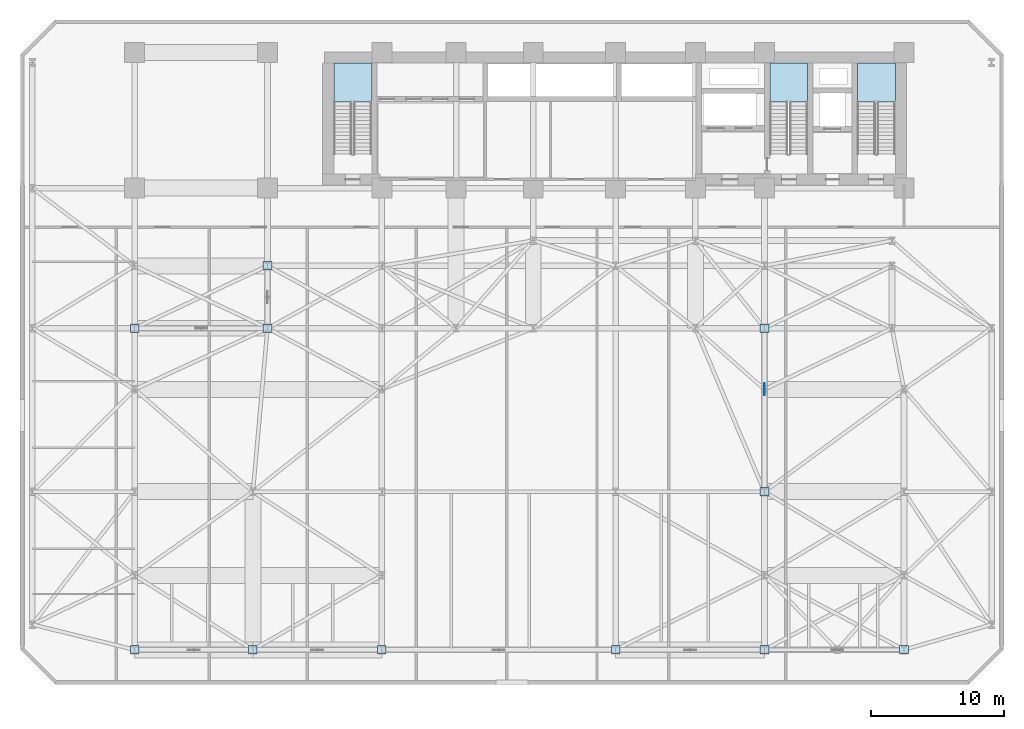
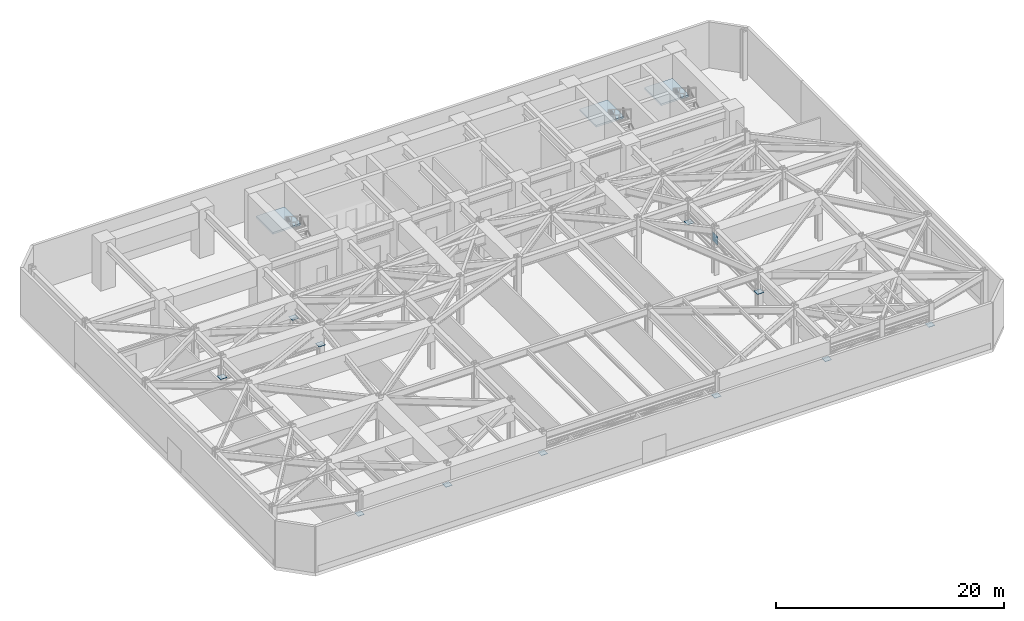
# One storey, part 6 of 14: 12 plates, 3 slabs, 3 elements without a shape of their own.
"""IFC4 building model written with IfcOpenShell, lengths in metres."""

from ifc_helpers import new_model, si_unit, direction, frame, origin, origin_2d, place, context, subcontext, project, spatial, polyline, rectangle, outline, extrude, material, layer, layer_set, type_object, element, aggregate, save


model = new_model("IFC4")

# Units and contexts
model_context = context("Model", 3, precision=1e-05, world=origin(), true_north=direction((0.0, 1.0)))
body_context = subcontext(model_context, "Body", "Model", "MODEL_VIEW")
ifc_project = project(units=[si_unit("LENGTHUNIT", "METRE"), si_unit("AREAUNIT", "SQUARE_METRE"), si_unit("VOLUMEUNIT", "CUBIC_METRE"), si_unit("PLANEANGLEUNIT", "RADIAN"), si_unit("MASSUNIT", "GRAM", prefix="KILO")], contexts=[model_context])

# Site, building, storey
site_placement = place(None, origin())
site = spatial("IfcSite", under=ifc_project, at=site_placement, CompositionType="ELEMENT")
building_placement = place(site_placement, origin())
building = spatial("IfcBuilding", under=site, at=building_placement, Name="Kravanh Interchange Tower", CompositionType="ELEMENT")
storey_placement = place(building_placement, frame((0.0, 0.0, 24.300048828125)))
storey = spatial("IfcBuildingStorey", under=building, at=storey_placement, Name="L05", CompositionType="ELEMENT", Elevation=24.300048828125)

# Stair, slab
ifc_material_1 = material(Name="Concrete C50/60", Category="concrete")
stair_type = type_object("IfcStairType", Name="Core Fire Exit Dogleg Stair Concrete C50/60", PredefinedType="HALF_TURN_STAIR", material=ifc_material_1)
stair_1_placement = place(storey_placement, origin())
stair_1 = element("IfcStair", 1, at=stair_1_placement, inside=storey, type_object=stair_type, Name="L05 Exit Stair ST1", PredefinedType="HALF_TURN_STAIR")
ifc_material_2 = material(Name="Concrete C50/60", Category="concrete")
ifc_layer_1 = layer(ifc_material_2, 0.199951171875)
ifc_layer_set_1 = layer_set([ifc_layer_1], Name="Concrete C50/60 Stair Half-Landing Slab 200mm")
slab_type = type_object("IfcSlabType", Name="Concrete C50/60 Stair Half-Landing Slab 200mm", PredefinedType="LANDING", material=ifc_layer_set_1)
slab_1_placement = place(storey_placement, frame((0.0, 0.0, 2.39990234375)))
slab_1 = element("IfcSlab", 2, at=slab_1_placement, type_object=slab_type, Name="ST1 landing 1", PredefinedType="LANDING", context=body_context, shape_type="SweptSolid", body=[
    extrude(outline(polyline([(65.85009765625, 43.820068359375), (65.85009765625, 46.75), (63.0, 46.75), (63.0, 43.820068359375), (65.85009765625, 43.820068359375)])), origin(), (0.0, 0.0, 1.0), 0.199951171875),
])
aggregate(stair_1, [slab_1])

stair_2_placement = place(storey_placement, origin())
stair_2 = element("IfcStair", 3, at=stair_2_placement, inside=storey, type_object=stair_type, Name="L05 Exit Stair ST2", PredefinedType="HALF_TURN_STAIR")
slab_2_placement = place(storey_placement, frame((0.0, 0.0, 2.39990234375)))
slab_2 = element("IfcSlab", 4, at=slab_2_placement, type_object=slab_type, Name="ST2 landing 1", PredefinedType="LANDING", context=body_context, shape_type="SweptSolid", body=[
    extrude(outline(polyline([(59.25, 43.820068359375), (59.25, 46.75), (56.39990234375, 46.75), (56.39990234375, 43.820068359375), (59.25, 43.820068359375)])), origin(), (0.0, 0.0, 1.0), 0.199951171875),
])
aggregate(stair_2, [slab_2])

stair_3_placement = place(storey_placement, origin())
stair_3 = element("IfcStair", 5, at=stair_3_placement, inside=storey, type_object=stair_type, Name="L05 Exit Stair ST3", PredefinedType="HALF_TURN_STAIR")
slab_3_placement = place(storey_placement, frame((0.0, 0.0, 2.39990234375)))
slab_3 = element("IfcSlab", 6, at=slab_3_placement, type_object=slab_type, Name="ST3 landing 1", PredefinedType="LANDING", context=body_context, shape_type="SweptSolid", body=[
    extrude(outline(polyline([(26.449951171875, 43.820068359375), (26.449951171875, 46.75), (23.60009765625, 46.75), (23.60009765625, 43.820068359375), (26.449951171875, 43.820068359375)])), origin(), (0.0, 0.0, 1.0), 0.199951171875),
])
aggregate(stair_3, [slab_3])

# Plates
ifc_material_3 = material(Name="Structural Steel S450", Category="steel")
ifc_layer_2 = layer(ifc_material_3, 0.031982421875)
ifc_layer_set_2 = layer_set([ifc_layer_2], Name="Flange Continuity Node Plate 650x650x32 S450")
plate_type_1 = type_object("IfcPlateType", Name="Flange Continuity Node Plate 650x650x32 S450", PredefinedType="SHEET", material=ifc_layer_set_2)
for number, where, z_axis, x_axis, name in (
    (7, (8.60009765625, 2.60009765625, 2.68408203125), (0.0, 0.0, 1.0), (1.0, 0.0, 0.0), "L05 Transfer Truss Heel Node Plate 1A"),
    (8, (17.5, 2.60009765625, 2.68408203125), (0.0, 0.0, 1.0), (1.0, 0.0, 0.0), "L05 Transfer Truss Heel Node Plate 1B"),
    (9, (27.199951171875, 2.60009765625, 2.68408203125), (0.0, 0.0, 1.0), (1.0, 0.0, 0.0), "L05 Transfer Truss Heel Node Plate 2B"),
    (10, (44.800048828125, 2.60009765625, 2.68408203125), (0.0, 0.0, 1.0), (1.0, 0.0, 0.0), "L05 Transfer Truss Heel Node Plate 3B"),
    (11, (56.0, 2.60009765625, 2.68408203125), (0.0, 0.0, 1.0), (1.0, 0.0, 0.0), "L05 Transfer Truss Heel Node Plate 4B"),
    (12, (66.5, 2.60009765625, 2.68408203125), (0.0, 0.0, 1.0), (1.0, 0.0, 0.0), "L05 Transfer Truss Heel Node Plate 5B"),
    (13, (18.60009765625, 26.800048828125, 2.68408203125), (0.0, 0.0, 1.0), (1.0, 0.0, 0.0), "L05 Transfer Truss Heel Node Plate 6A"),
    (14, (18.60009765625, 31.5, 2.68408203125), (0.0, 0.0, 1.0), (1.0, 0.0, 0.0), "L05 Transfer Truss Heel Node Plate 6B"),
    (15, (56.0, 14.5, 2.68408203125), (0.0, 0.0, 1.0), (1.0, 0.0, 0.0), "L05 Transfer Truss Heel Node Plate 7A"),
    (16, (56.0, 26.800048828125, 2.68408203125), (0.0, 0.0, 1.0), (1.0, 0.0, 0.0), "L05 Transfer Truss Heel Node Plate 7B"),
    (17, (8.60009765625, 26.800048828125, 2.68408203125), (0.0, 0.0, 1.0), (1.0, 0.0, 0.0), "L05 Transfer Truss Heel Node Plate 8A"),
):
    element("IfcPlate", number, at=place(storey_placement, frame(where, z_axis=z_axis, x_axis=x_axis)), inside=storey, type_object=plate_type_1, Name=name, PredefinedType="SHEET", context=body_context, shape_type="SweptSolid", body=[
        extrude(rectangle(XDim=0.64990234375, YDim=0.64990234375, at=origin_2d()), origin(), (0.0, 0.0, 1.0), 0.031982421875),
    ])
ifc_material_4 = material(Name="Structural Steel S450", Category="steel")
ifc_layer_3 = layer(ifc_material_4, 0.0400390625)
ifc_layer_set_3 = layer_set([ifc_layer_3], Name="Outrigger Gusset Plate Structural Steel S450 40mm")
plate_type_2 = type_object("IfcPlateType", Name="Outrigger Gusset Plate Structural Steel S450 40mm", PredefinedType="USERDEFINED", material=ifc_layer_set_3)
plate_placement = place(storey_placement, frame((56.0, 22.199951171875, 3.2919921875), z_axis=(0.0, 0.0, 1.0), x_axis=(0.0, 1.0, 0.0)))
element("IfcPlate", 18, at=plate_placement, inside=storey, type_object=plate_type_2, Name="L05 Transfer Truss Apex Gusset Plate 7", ObjectType="GUSSET PLATE", PredefinedType="USERDEFINED", context=body_context, shape_type="SweptSolid", body=[
    extrude(rectangle(XDim=0.89990234375, YDim=0.0400390625, at=origin_2d()), origin(), (0.0, 0.0, 1.0), 0.89990234375),
])

save(model, "model.ifc")
